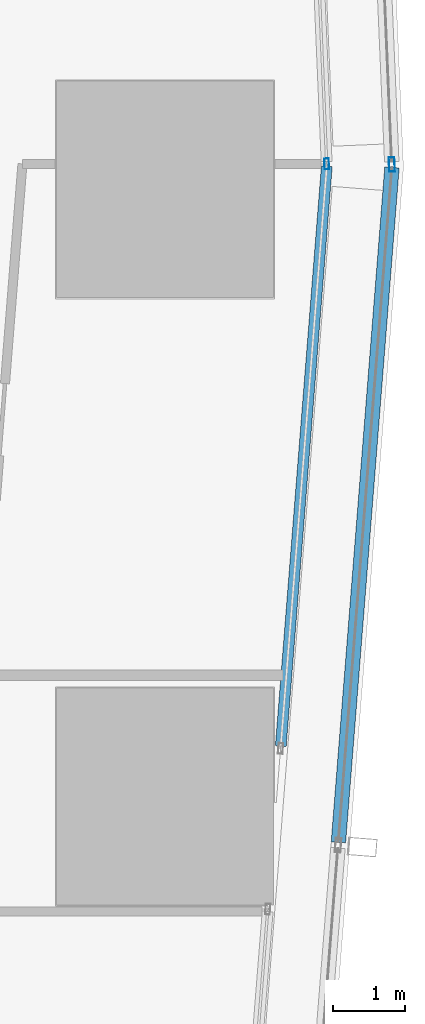
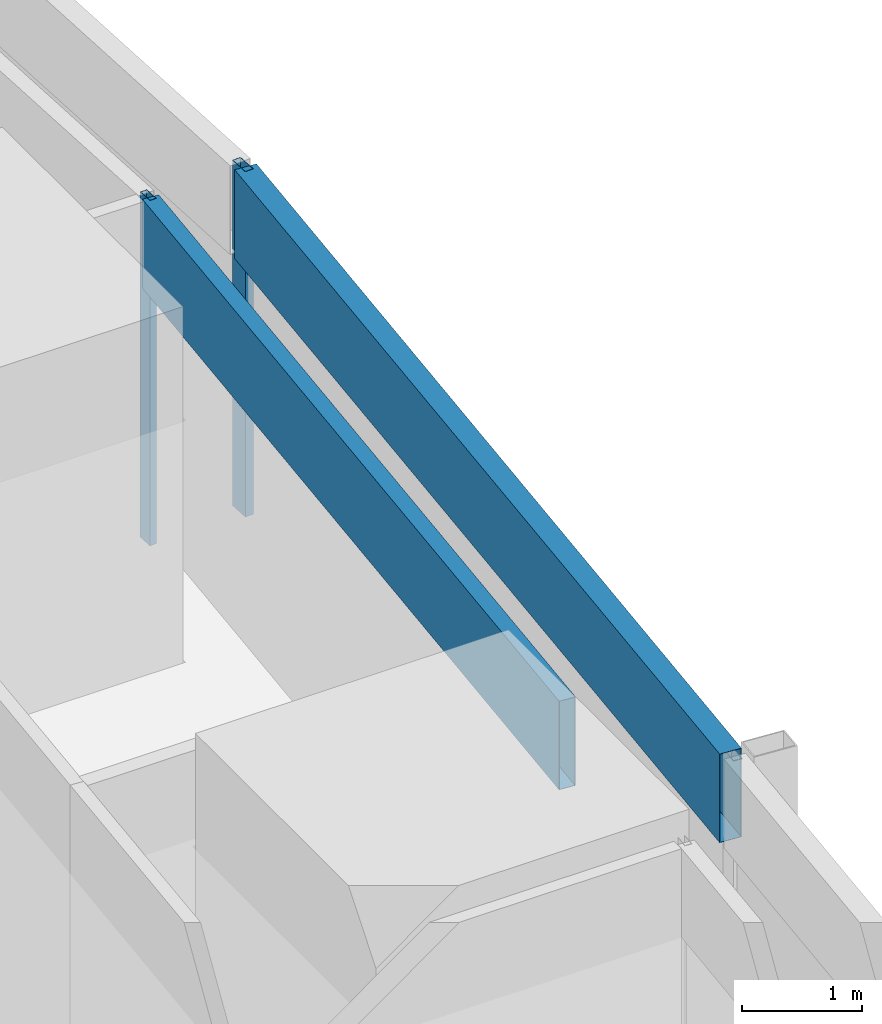
# One storey, part 26 of 45: 4 members, 4 elements without a shape of their own.
"""IFC4 building model written with IfcOpenShell, lengths in metres."""

from ifc_helpers import new_model, si_unit, direction, frame, origin, origin_2d, place, context, subcontext, project, spatial, hollow_rectangle, extrude, material, material_profile, profile_set, type_object, element, aggregate, save


model = new_model("IFC4")

# Units and contexts
model_context = context("Model", 3, precision=1e-05, world=origin(), true_north=direction((0.0, 1.0)))
body_context = subcontext(model_context, "Body", "Model", "MODEL_VIEW")
ifc_project = project(units=[si_unit("LENGTHUNIT", "METRE"), si_unit("AREAUNIT", "SQUARE_METRE"), si_unit("VOLUMEUNIT", "CUBIC_METRE"), si_unit("PLANEANGLEUNIT", "RADIAN"), si_unit("MASSUNIT", "GRAM", prefix="KILO")], contexts=[model_context])

# Site, building, storey
site_placement = place(None, origin())
site = spatial("IfcSite", under=ifc_project, at=site_placement, CompositionType="ELEMENT")
building_placement = place(site_placement, origin())
building = spatial("IfcBuilding", under=site, at=building_placement, Name="Rekha Terrace Tower", CompositionType="ELEMENT")
storey_placement = place(building_placement, frame((0.0, 0.0, 77.89990234375)))
storey = spatial("IfcBuildingStorey", under=building, at=storey_placement, Name="L19", CompositionType="ELEMENT", Elevation=77.89990234375)

# Curtain wall, member
ifc_material_1 = material(Name="Aluminium framing", Category="aluminium")
curtain_wall_type_1 = type_object("IfcCurtainWallType", Name="CW1 double skin inner glazing", PredefinedType="USERDEFINED", material=ifc_material_1)
curtain_wall_1_placement = place(storey_placement, origin())
curtain_wall_1 = element("IfcCurtainWall", 1, at=curtain_wall_1_placement, inside=storey, type_object=curtain_wall_type_1, Name="CW1 double skin inner glazing", ObjectType="DOUBLE SKIN INNER GLAZING", PredefinedType="USERDEFINED")
ifc_material_2 = material(Name="Aluminium mullion section", Category="aluminium")
ifc_material_profile_1 = material_profile(ifc_material_2, hollow_rectangle(XDim=0.06494140625, YDim=0.14990234375, WallThickness=0.00390625, at=origin_2d()), Name="AL RHS 65x150")
ifc_profile_set_1 = profile_set([ifc_material_profile_1], Name="Aluminium mullion section")
member_type_1 = type_object("IfcMemberType", Name="CW1 mullion RHS 65 x 150", PredefinedType="MULLION", material=ifc_profile_set_1)
member_1_placement = place(storey_placement, frame((69.436767578125, 25.5517578125, 0.0), z_axis=(0.0, 0.0, 1.0), x_axis=(-0.999088106904, -0.042696072921, 0.0)))
member_1 = element("IfcMember", 2, at=member_1_placement, type_object=member_type_1, Name="CW1 mullion 1", PredefinedType="MULLION", context=body_context, shape_type="SweptSolid", body=[
    extrude(hollow_rectangle(XDim=0.06494140625, YDim=0.14990234375, WallThickness=0.00390625, at=origin_2d()), origin(), (0.0, 0.0, 1.0), 3.5),
])
aggregate(curtain_wall_1, [member_1])

curtain_wall_2_placement = place(storey_placement, origin())
curtain_wall_2 = element("IfcCurtainWall", 3, at=curtain_wall_2_placement, inside=storey, type_object=curtain_wall_type_1, Name="CW1 double skin inner glazing", ObjectType="DOUBLE SKIN INNER GLAZING", PredefinedType="USERDEFINED")
ifc_material_3 = material(Name="Insulated aluminium spandrel box", Category="aluminium")
ifc_material_profile_2 = material_profile(ifc_material_3, hollow_rectangle(XDim=0.14990234375, YDim=0.89990234375, WallThickness=0.0029296875, at=origin_2d()), Name="AL SPANDREL BOX 150x900")
ifc_profile_set_2 = profile_set([ifc_material_profile_2], Name="Insulated aluminium spandrel box")
member_type_2 = type_object("IfcMemberType", Name="CW1 spandrel transom 150 x 900", PredefinedType="USERDEFINED", material=ifc_profile_set_2)
member_2_placement = place(storey_placement, frame((68.801513671875, 17.49609375, 3.050048828125), z_axis=(0.079111037739, 0.996865810281, 0.0), x_axis=(-0.996865810281, 0.079111037739, 0.0)))
member_2 = element("IfcMember", 4, at=member_2_placement, type_object=member_type_2, Name="CW1 spandrel transom 1", ObjectType="TRANSOM", PredefinedType="USERDEFINED", context=body_context, shape_type="SweptSolid", body=[
    extrude(hollow_rectangle(XDim=0.14990234375, YDim=0.89990234375, WallThickness=0.0029296875, at=origin_2d()), origin(), (0.0, 0.0, 1.0), 8.04833984375),
])
aggregate(curtain_wall_2, [member_2])

curtain_wall_type_2 = type_object("IfcCurtainWallType", Name="CW2 double skin outer glazing", PredefinedType="USERDEFINED", material=ifc_material_1)
curtain_wall_3_placement = place(storey_placement, origin())
curtain_wall_3 = element("IfcCurtainWall", 5, at=curtain_wall_3_placement, inside=storey, type_object=curtain_wall_type_2, Name="CW2 double skin outer glazing", ObjectType="DOUBLE SKIN OUTER GLAZING", PredefinedType="USERDEFINED")
ifc_material_profile_3 = material_profile(ifc_material_2, hollow_rectangle(XDim=0.080078125, YDim=0.199951171875, WallThickness=0.00390625, at=origin_2d()), Name="AL RHS 80x200")
ifc_profile_set_3 = profile_set([ifc_material_profile_3], Name="Aluminium mullion section")
member_type_3 = type_object("IfcMemberType", Name="CW2 mullion RHS 80 x 200", PredefinedType="MULLION", material=ifc_profile_set_3)
member_3_placement = place(storey_placement, frame((70.338134765625, 25.54296875, 0.0), z_axis=(0.0, 0.0, 1.0), x_axis=(-0.999088106903, -0.042696072956, 0.0)))
member_3 = element("IfcMember", 6, at=member_3_placement, type_object=member_type_3, Name="CW2 mullion 1", PredefinedType="MULLION", context=body_context, shape_type="SweptSolid", body=[
    extrude(hollow_rectangle(XDim=0.080078125, YDim=0.199951171875, WallThickness=0.00390625, at=origin_2d()), origin(), (0.0, 0.0, 1.0), 3.5),
])
aggregate(curtain_wall_3, [member_3])

curtain_wall_4_placement = place(storey_placement, origin())
curtain_wall_4 = element("IfcCurtainWall", 7, at=curtain_wall_4_placement, inside=storey, type_object=curtain_wall_type_2, Name="CW2 double skin outer glazing", ObjectType="DOUBLE SKIN OUTER GLAZING", PredefinedType="USERDEFINED")
ifc_material_profile_4 = material_profile(ifc_material_3, hollow_rectangle(XDim=0.199951171875, YDim=0.89990234375, WallThickness=0.0029296875, at=origin_2d()), Name="AL SPANDREL BOX 200x900")
ifc_profile_set_4 = profile_set([ifc_material_profile_4], Name="Insulated aluminium spandrel box")
member_type_4 = type_object("IfcMemberType", Name="CW2 spandrel transom 200 x 900", PredefinedType="USERDEFINED", material=ifc_profile_set_4)
member_4_placement = place(storey_placement, frame((69.5986328125, 16.16552734375, 3.050048828125), z_axis=(0.079131924046, 0.996864152529, 0.0), x_axis=(-0.996864152529, 0.079131924046, 0.0)))
member_4 = element("IfcMember", 8, at=member_4_placement, type_object=member_type_4, Name="CW2 spandrel transom 2", ObjectType="TRANSOM", PredefinedType="USERDEFINED", context=body_context, shape_type="SweptSolid", body=[
    extrude(hollow_rectangle(XDim=0.199951171875, YDim=0.89990234375, WallThickness=0.0029296875, at=origin_2d()), origin(), (0.0, 0.0, 1.0), 9.36669921875),
])
aggregate(curtain_wall_4, [member_4])

save(model, "model.ifc")
